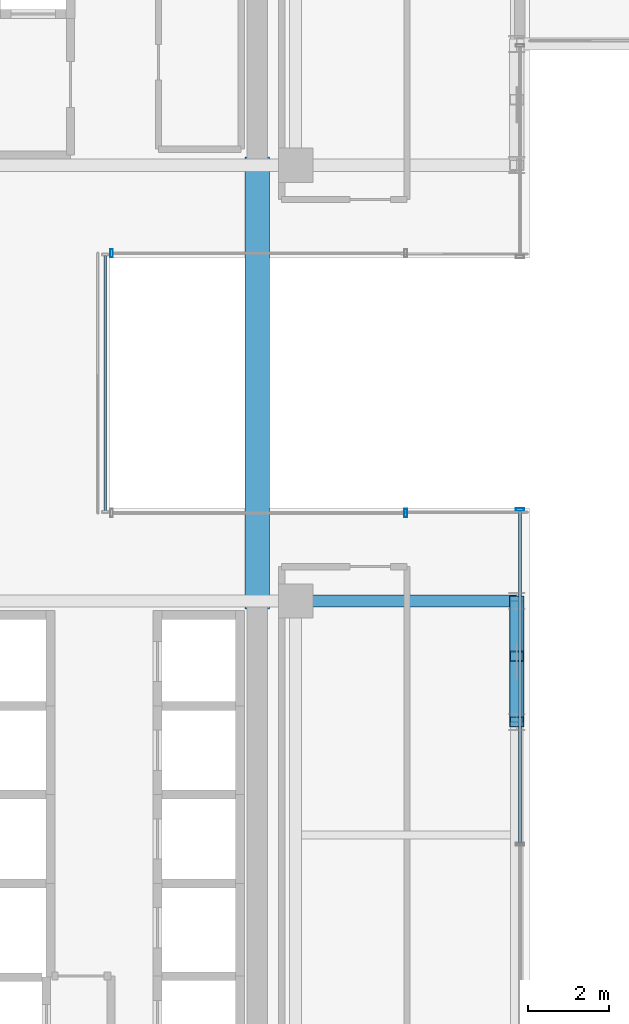
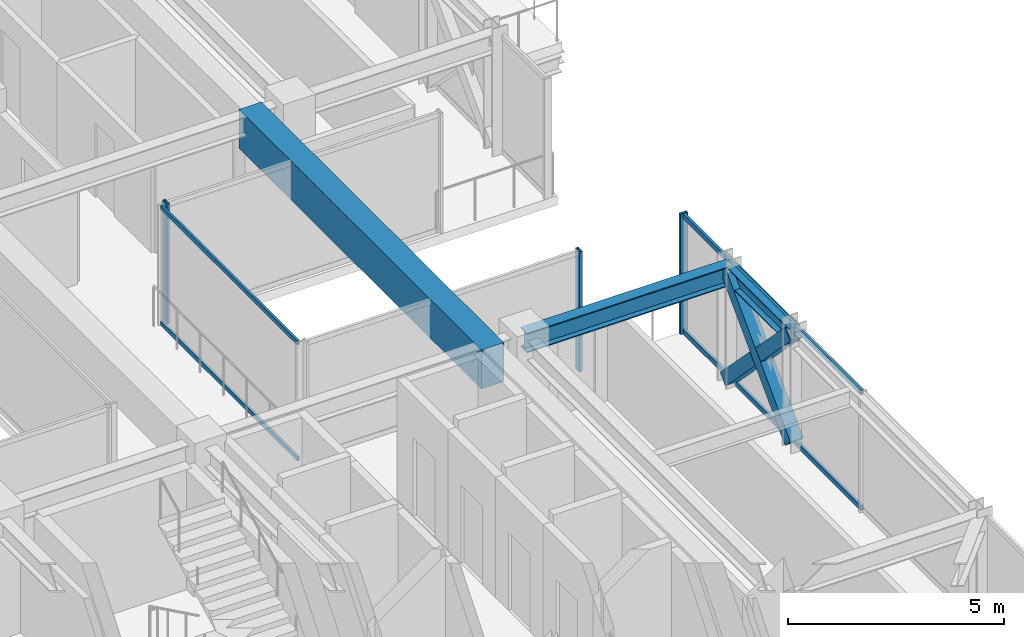
# One storey, part 16 of 38: 10 members, 3 beams, 4 elements without a shape of their own.
"""IFC4 building model written with IfcOpenShell, lengths in metres."""

from ifc_helpers import new_model, si_unit, direction, frame, origin, origin_2d, place, context, subcontext, project, spatial, rectangle, hollow_rectangle, i_section, extrude, source, transform, mapped, material, material_profile, profile_set, type_object, element, aggregate, save


model = new_model("IFC4")

# Units and contexts
model_context = context("Model", 3, precision=1e-05, world=origin(), true_north=direction((0.0, 1.0)))
body_context = subcontext(model_context, "Body", "Model", "MODEL_VIEW")
ifc_project = project(units=[si_unit("LENGTHUNIT", "METRE"), si_unit("AREAUNIT", "SQUARE_METRE"), si_unit("VOLUMEUNIT", "CUBIC_METRE"), si_unit("PLANEANGLEUNIT", "RADIAN"), si_unit("MASSUNIT", "GRAM", prefix="KILO")], contexts=[model_context])

# Site, building, storey
site_placement = place(None, origin())
site = spatial("IfcSite", under=ifc_project, at=site_placement, CompositionType="ELEMENT")
building_placement = place(site_placement, origin())
building = spatial("IfcBuilding", under=site, at=building_placement, Name="Nahalor Promenade Grand Hotel", CompositionType="ELEMENT")
storey_placement = place(building_placement, frame((0.0, 0.0, 163.60009765625)))
storey = spatial("IfcBuildingStorey", under=building, at=storey_placement, Name="L41", CompositionType="ELEMENT", Elevation=163.60009765625)

# Beams
ifc_material_1 = material(Name="Concrete B-60 (C50/60)", Category="concrete")
ifc_material_profile_1 = material_profile(ifc_material_1, rectangle(XDim=0.6, YDim=1.1, at=origin_2d()), Name="RC 600x1100")
ifc_profile_set_1 = profile_set([ifc_material_profile_1], Name="Concrete B-60 (C50/60)")
beam_type_1 = type_object("IfcBeamType", Name="Beam-Lintel-RC1100", PredefinedType="LINTEL", material=ifc_profile_set_1)
shared_shape_1 = source(origin(), body_context, "Body", "SweptSolid", [
    extrude(rectangle(XDim=0.6, YDim=1.1, at=origin_2d()), origin(), (0.0, 0.0, 1.0), 11.2001953125),
])
beam_1_placement = place(storey_placement, frame((16.050048828125, -5.60009765625, 2.83984375), z_axis=(0.0, 1.0, 0.0), x_axis=(-1.0, 0.0, 0.0)))
element("IfcBeam", 1, at=beam_1_placement, inside=storey, type_object=beam_type_1, Name="BM-L41-LINT-E", PredefinedType="LINTEL", context=body_context, shape_type="MappedRepresentation", body=[
    mapped(shared_shape_1, transform((0.0, 0.0, 0.0), scale=1.0)),
])
ifc_material_2 = material(Name="Steel S355JR", Category="steel")
ifc_material_profile_2 = material_profile(ifc_material_2, i_section(OverallWidth=0.3, OverallDepth=0.55, WebThickness=0.015, FlangeThickness=0.029, at=origin_2d()), Name="HEB 550")
ifc_profile_set_2 = profile_set([ifc_material_profile_2], Name="Steel S355JR")
beam_type_2 = type_object("IfcBeamType", Name="Beam-Girder-HEB550", PredefinedType="BEAM", material=ifc_profile_set_2)
shared_shape_2 = source(origin(), body_context, "Body", "SweptSolid", [
    extrude(i_section(OverallWidth=0.3, OverallDepth=0.55, WebThickness=0.015, FlangeThickness=0.029, at=origin_2d()), origin(), (0.0, 0.0, 1.0), 5.47998046875),
])
beam_2_placement = place(storey_placement, frame((17.0, -5.39990234375, 3.114990234375), z_axis=(1.0, 0.0, 0.0), x_axis=(0.0, 1.0, 0.0)))
element("IfcBeam", 2, at=beam_2_placement, inside=storey, type_object=beam_type_2, Name="BM-L41-GX-1-6", PredefinedType="BEAM", context=body_context, shape_type="MappedRepresentation", body=[
    mapped(shared_shape_2, transform((0.0, 0.0, 0.0), scale=1.0)),
])
ifc_material_profile_3 = material_profile(ifc_material_2, i_section(OverallWidth=0.3, OverallDepth=0.45, WebThickness=0.014, FlangeThickness=0.026, at=origin_2d()), Name="HEB 450")
ifc_profile_set_3 = profile_set([ifc_material_profile_3], Name="Steel S355JR")
beam_type_3 = type_object("IfcBeamType", Name="Beam-Spandrel-HEB450", PredefinedType="SPANDREL", material=ifc_profile_set_3)
shared_shape_3 = source(origin(), body_context, "Body", "SweptSolid", [
    extrude(i_section(OverallWidth=0.3, OverallDepth=0.45, WebThickness=0.014, FlangeThickness=0.026, at=origin_2d()), origin(), (0.0, 0.0, 1.0), 3.0),
])
beam_3_placement = place(storey_placement, frame((22.47998046875, -8.39990234375, 3.164794921875), z_axis=(0.0, 1.0, 0.0), x_axis=(-1.0, 0.0, 0.0)))
element("IfcBeam", 3, at=beam_3_placement, inside=storey, type_object=beam_type_3, Name="BM-L41-SP-E-1", PredefinedType="SPANDREL", context=body_context, shape_type="MappedRepresentation", body=[
    mapped(shared_shape_3, transform((0.0, 0.0, 0.0), scale=1.0)),
])

# Members
ifc_material_profile_4 = material_profile(ifc_material_2, hollow_rectangle(XDim=0.35, YDim=0.35, WallThickness=0.02, at=origin_2d()), Name="SHS 350x350x20")
ifc_profile_set_4 = profile_set([ifc_material_profile_4], Name="Steel S355JR")
member_type_1 = type_object("IfcMemberType", Name="Mem-VoidBrace-SHS350", PredefinedType="BRACE", material=ifc_profile_set_4)
shared_shape_4 = source(origin(), body_context, "Body", "SweptSolid", [
    extrude(hollow_rectangle(XDim=0.35, YDim=0.35, WallThickness=0.02, at=origin_2d()), origin(), (0.0, 0.0, 1.0), 1.96630859375),
])
member_1_placement = place(storey_placement, frame((22.47998046875, -7.0302734375, 1.8291015625), z_axis=(0.0, -0.696537426897, 0.717520461682), x_axis=(1.0, 0.0, 0.0)))
element("IfcMember", 4, at=member_1_placement, inside=storey, type_object=member_type_1, Name="EXO-L41-VX2-E0B", PredefinedType="BRACE", context=body_context, shape_type="MappedRepresentation", body=[
    mapped(shared_shape_4, transform((0.0, 0.0, 0.0), scale=1.0)),
])
shared_shape_5 = source(origin(), body_context, "Body", "SweptSolid", [
    extrude(hollow_rectangle(XDim=0.35, YDim=0.35, WallThickness=0.02, at=origin_2d()), origin(), (0.0, 0.0, 1.0), 4.306884765625),
])
member_2_placement = place(storey_placement, frame((22.47998046875, -8.39990234375, 0.14990234375), z_axis=(0.0, 0.696570665899, 0.717488193219), x_axis=(-1.0, 0.0, 0.0)))
element("IfcMember", 5, at=member_2_placement, inside=storey, type_object=member_type_1, Name="EXO-L41-VX1-E0", PredefinedType="BRACE", context=body_context, shape_type="MappedRepresentation", body=[
    mapped(shared_shape_5, transform((0.0, 0.0, 0.0), scale=1.0)),
])
shared_shape_6 = source(origin(), body_context, "Body", "SweptSolid", [
    extrude(hollow_rectangle(XDim=0.35, YDim=0.35, WallThickness=0.02, at=origin_2d()), origin(), (0.0, 0.0, 1.0), 1.966552734375),
])
member_3_placement = place(storey_placement, frame((22.47998046875, -5.39990234375, 0.14990234375), z_axis=(0.0, -0.696601340579, 0.71745841155), x_axis=(1.0, 0.0, 0.0)))
element("IfcMember", 6, at=member_3_placement, inside=storey, type_object=member_type_1, Name="EXO-L41-VX2-E0A", PredefinedType="BRACE", context=body_context, shape_type="MappedRepresentation", body=[
    mapped(shared_shape_6, transform((0.0, 0.0, 0.0), scale=1.0)),
])

# Curtain wall, members
ifc_material_3 = material(Name="Anodised Bronze Aluminium EN AW-6063 T6", Category="aluminium")
curtain_wall_type_1 = type_object("IfcCurtainWallType", Name="CW4 Low-Iron Sky-Gallery Bridge Curtain Wall", PredefinedType="USERDEFINED", material=ifc_material_3)
curtain_wall_1_placement = place(storey_placement, origin())
curtain_wall_1 = element("IfcCurtainWall", 7, at=curtain_wall_1_placement, inside=storey, type_object=curtain_wall_type_1, Name="L41 Curtain Wall CW-L41-BRG-E", ObjectType="UNITISED_CURTAIN_WALL", PredefinedType="USERDEFINED")
ifc_material_profile_5 = material_profile(ifc_material_3, hollow_rectangle(XDim=0.06, YDim=0.12, WallThickness=0.004, at=origin_2d()), Name="CWT 60x120x4")
ifc_profile_set_5 = profile_set([ifc_material_profile_5], Name="Anodised Bronze Aluminium EN AW-6063 T6")
member_type_2 = type_object("IfcMemberType", Name="CWT4 Sky-Gallery Slim Transom 60x120", PredefinedType="USERDEFINED", material=ifc_profile_set_5)
shared_shape_7 = source(origin(), body_context, "Body", "SweptSolid", [
    extrude(hollow_rectangle(XDim=0.06, YDim=0.12, WallThickness=0.004, at=origin_2d()), origin(), (0.0, 0.0, 1.0), 6.31982421875),
])
member_4_placement = place(storey_placement, frame((12.280029296875, -3.159912109375, 0.059814453125), z_axis=(0.0, 1.0, 0.0), x_axis=(-1.0, 0.0, 0.0)))
member_4 = element("IfcMember", 8, at=member_4_placement, type_object=member_type_2, Name="CW-L41-BRG-E Transom 0-0", ObjectType="TRANSOM", PredefinedType="USERDEFINED", context=body_context, shape_type="MappedRepresentation", body=[
    mapped(shared_shape_7, transform((0.0, 0.0, 0.0), scale=1.0)),
])
member_5_placement = place(storey_placement, frame((12.280029296875, -3.159912109375, 3.329833984375), z_axis=(0.0, 1.0, 0.0), x_axis=(-1.0, 0.0, 0.0)))
member_5 = element("IfcMember", 9, at=member_5_placement, type_object=member_type_2, Name="CW-L41-BRG-E Transom 0-1", ObjectType="TRANSOM", PredefinedType="USERDEFINED", context=body_context, shape_type="MappedRepresentation", body=[
    mapped(shared_shape_7, transform((0.0, 0.0, 0.0), scale=1.0)),
])
aggregate(curtain_wall_1, [member_4, member_5])

# Curtain wall, member
curtain_wall_type_2 = type_object("IfcCurtainWallType", Name="CW3 Elliptical-Void Collar Unitised Curtain Wall", PredefinedType="USERDEFINED", material=ifc_material_3)
curtain_wall_2_placement = place(storey_placement, origin())
curtain_wall_2 = element("IfcCurtainWall", 10, at=curtain_wall_2_placement, inside=storey, type_object=curtain_wall_type_2, Name="L41 Curtain Wall CW-L41-E-1", ObjectType="UNITISED_CURTAIN_WALL", PredefinedType="USERDEFINED")
ifc_material_profile_6 = material_profile(ifc_material_3, hollow_rectangle(XDim=0.07, YDim=0.2, WallThickness=0.005, at=origin_2d()), Name="CWM 70x200x5")
ifc_profile_set_6 = profile_set([ifc_material_profile_6], Name="Anodised Bronze Aluminium EN AW-6063 T6")
member_type_3 = type_object("IfcMemberType", Name="CWM3 Void Collar Mullion 70x200", PredefinedType="MULLION", material=ifc_profile_set_6)
shared_shape_8 = source(origin(), body_context, "Body", "SweptSolid", [
    extrude(hollow_rectangle(XDim=0.07, YDim=0.2, WallThickness=0.005, at=origin_2d()), origin(), (0.0, 0.0, 1.0), 3.389892578125),
])
member_6_placement = place(storey_placement, frame((22.56005859375, -3.135009765625, 0.0), z_axis=(0.0, 0.0, 1.0), x_axis=(0.0, 1.0, 0.0)))
member_6 = element("IfcMember", 11, at=member_6_placement, type_object=member_type_3, Name="CW-L41-E-1 Mullion 2", PredefinedType="MULLION", context=body_context, shape_type="MappedRepresentation", body=[
    mapped(shared_shape_8, transform((0.0, 0.0, 0.0), scale=1.0)),
])

curtain_wall_3_placement = place(storey_placement, origin())
curtain_wall_3 = element("IfcCurtainWall", 12, at=curtain_wall_3_placement, inside=storey, type_object=curtain_wall_type_2, Name="L41 Curtain Wall CW-L41-VOID-ES1", ObjectType="UNITISED_CURTAIN_WALL", PredefinedType="USERDEFINED")
member_7_placement = place(storey_placement, frame((19.72509765625, -3.219970703125, 0.0), z_axis=(0.0, 0.0, 1.0), x_axis=(1.0, 0.0, 0.0)))
member_7 = element("IfcMember", 13, at=member_7_placement, type_object=member_type_3, Name="CW-L41-VOID-ES1 Mullion 1", PredefinedType="MULLION", context=body_context, shape_type="MappedRepresentation", body=[
    mapped(shared_shape_8, transform((0.0, 0.0, 0.0), scale=1.0)),
])
aggregate(curtain_wall_3, [member_7])

curtain_wall_4_placement = place(storey_placement, origin())
curtain_wall_4 = element("IfcCurtainWall", 14, at=curtain_wall_4_placement, inside=storey, type_object=curtain_wall_type_2, Name="L41 Curtain Wall CW-L41-VOID-EN1", ObjectType="UNITISED_CURTAIN_WALL", PredefinedType="USERDEFINED")
member_8_placement = place(storey_placement, frame((12.43505859375, 3.219970703125, 0.0), z_axis=(0.0, 0.0, 1.0), x_axis=(1.0, 0.0, 0.0)))
member_8 = element("IfcMember", 15, at=member_8_placement, type_object=member_type_3, Name="CW-L41-VOID-EN1 Mullion 0", PredefinedType="MULLION", context=body_context, shape_type="MappedRepresentation", body=[
    mapped(shared_shape_8, transform((0.0, 0.0, 0.0), scale=1.0)),
])
aggregate(curtain_wall_4, [member_8])

# Member
ifc_material_profile_7 = material_profile(ifc_material_3, hollow_rectangle(XDim=0.07, YDim=0.14, WallThickness=0.004, at=origin_2d()), Name="CWT 70x140x4")
ifc_profile_set_7 = profile_set([ifc_material_profile_7], Name="Anodised Bronze Aluminium EN AW-6063 T6")
member_type_4 = type_object("IfcMemberType", Name="CWT3 Void Collar Transom 70x140", PredefinedType="USERDEFINED", material=ifc_profile_set_7)
shared_shape_9 = source(origin(), body_context, "Body", "SweptSolid", [
    extrude(hollow_rectangle(XDim=0.07, YDim=0.14, WallThickness=0.004, at=origin_2d()), origin(), (0.0, 0.0, 1.0), 8.22509765625),
])
member_9_placement = place(storey_placement, frame((22.56005859375, -11.39501953125, 0.06982421875), z_axis=(0.0, 1.0, 0.0), x_axis=(-1.0, 0.0, 0.0)))
member_9 = element("IfcMember", 16, at=member_9_placement, type_object=member_type_4, Name="CW-L41-E-1 Transom 1-0", ObjectType="TRANSOM", PredefinedType="USERDEFINED", context=body_context, shape_type="MappedRepresentation", body=[
    mapped(shared_shape_9, transform((0.0, 0.0, 0.0), scale=1.0)),
])

member_10_placement = place(storey_placement, frame((22.56005859375, -11.39501953125, 3.31982421875), z_axis=(0.0, 1.0, 0.0), x_axis=(-1.0, 0.0, 0.0)))
member_10 = element("IfcMember", 17, at=member_10_placement, type_object=member_type_4, Name="CW-L41-E-1 Transom 1-1", ObjectType="TRANSOM", PredefinedType="USERDEFINED", context=body_context, shape_type="MappedRepresentation", body=[
    mapped(shared_shape_9, transform((0.0, 0.0, 0.0), scale=1.0)),
])

aggregate(curtain_wall_2, [member_6, member_9, member_10])

save(model, "model.ifc")
